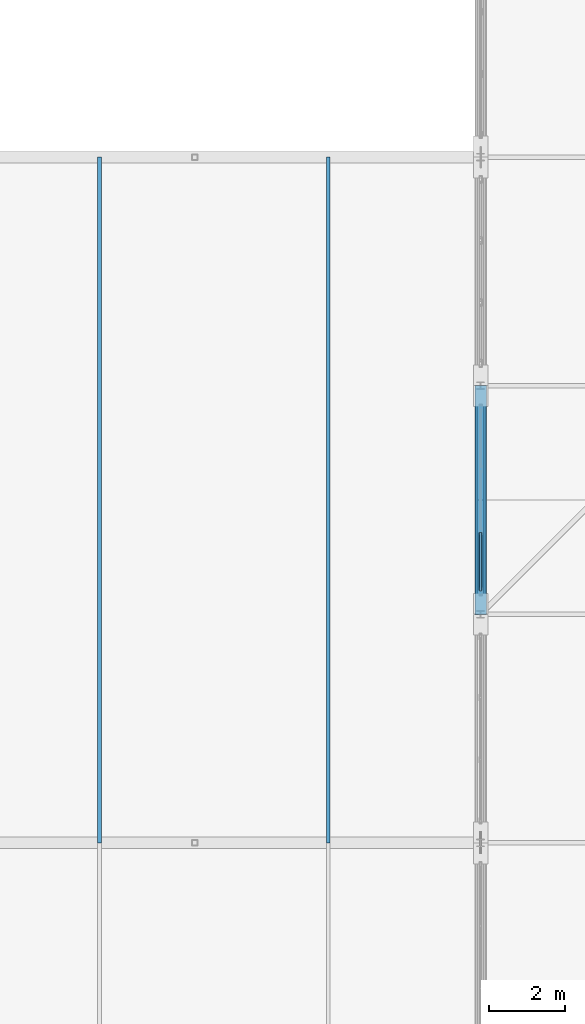
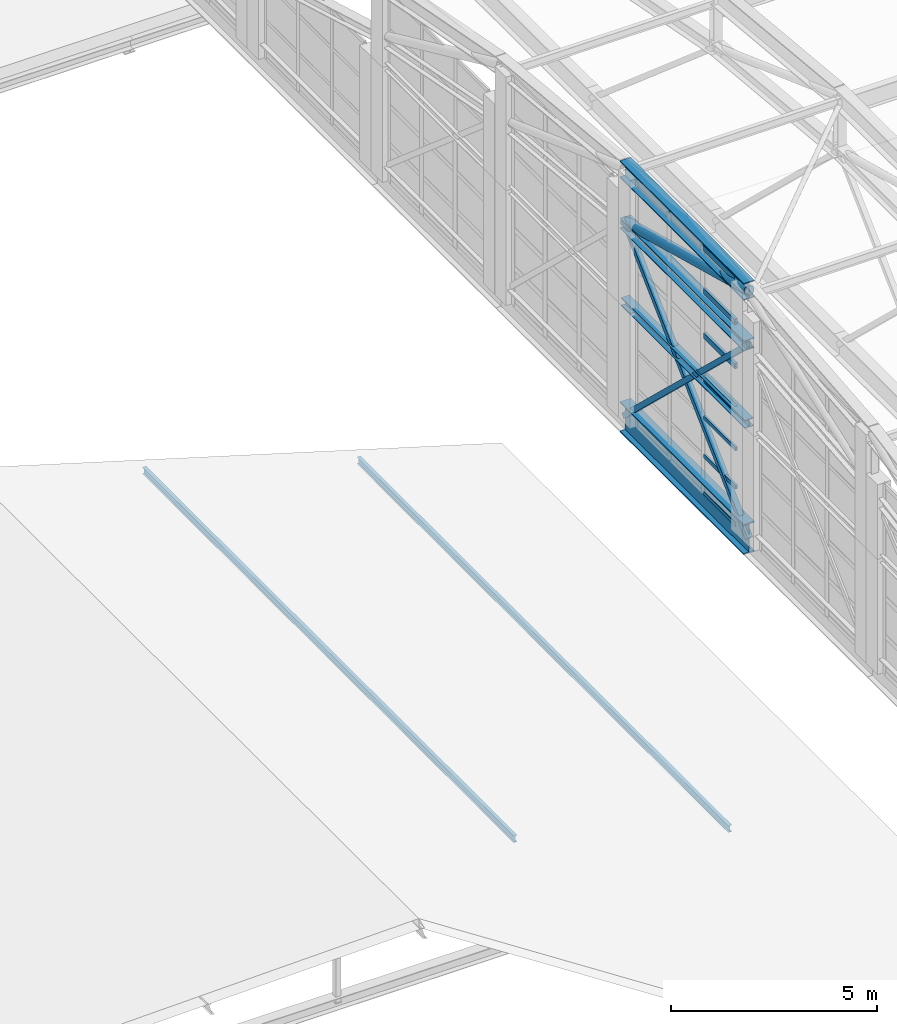
# One storey, part 81 of 204: 17 members, 2 elements without a shape of their own.
"""IFC4 building model written with IfcOpenShell, lengths in metres."""

import ifcopenshell
import ifcopenshell.guid

model = None  # the IFC model being written
_history = None  # IfcOwnerHistory: only IFC2X3 demands one
_inside = {}  # id of a spatial element -> (the spatial element, [elements in it])
_under = {}  # id of a project, library or spatial element -> (it, [spatial elements below it])
_declared = {}  # id of a project -> (the project, [libraries it declares])
_typed = {}  # id of a type object -> (the type object, [elements of that type])
_made_of = {}  # id of a material, layer set ... -> (it, [elements and type objects made of it])


def new_model(schema):
    """Start an empty IFC model of exactly this schema.

    Asked for "IFC4X3", IfcOpenShell would pick the latest addendum, in which some entities
    have other attributes; the version numbers below select the first issue.
    IFC2X3 requires an IfcOwnerHistory on every rooted entity: one is made here for all.
    """
    global model, _history
    if schema == "IFC4X3":
        model = ifcopenshell.file(schema_version=(4, 3, 0, 0))
    else:
        model = ifcopenshell.file(schema=schema)
    _inside.clear()
    _under.clear()
    _declared.clear()
    _typed.clear()
    _made_of.clear()
    _history = None
    if model.schema == "IFC2X3":
        org = make("IfcOrganization", Name="unknown")
        user = make(
            "IfcPersonAndOrganization",
            ThePerson=make("IfcPerson", FamilyName="unknown"),
            TheOrganization=org,
        )
        app = make(
            "IfcApplication",
            ApplicationDeveloper=org,
            Version="unknown",
            ApplicationFullName="unknown",
            ApplicationIdentifier="unknown",
        )
        _history = make(
            "IfcOwnerHistory",
            OwningUser=user,
            OwningApplication=app,
            ChangeAction="ADDED",
            CreationDate=0,
        )
    return model


def make(cls, **values):
    """One entity of the class cls with the attributes given. An attribute that is None is left unset."""
    return model.create_entity(
        cls, **{name: value for name, value in values.items() if value is not None}
    )


def rooted(cls, **values):
    """An entity with a GlobalId (a new one), such as an element, a storey or a relation."""
    return make(cls, GlobalId=ifcopenshell.guid.new(), OwnerHistory=_history, **values)


def si_unit(unit_type, name, prefix=None):
    """IfcSIUnit, for example si_unit("LENGTHUNIT", "METRE", prefix="MILLI")."""
    return make("IfcSIUnit", UnitType=unit_type, Prefix=prefix, Name=name)


def assignment(units):
    """IfcUnitAssignment: the units of a project."""
    return None if units is None else make("IfcUnitAssignment", Units=units)


def point(xyz):
    """IfcCartesianPoint."""
    return None if xyz is None else make("IfcCartesianPoint", Coordinates=xyz)


def direction(xyz):
    """IfcDirection."""
    return None if xyz is None else make("IfcDirection", DirectionRatios=xyz)


def frame(location, z_axis=None, x_axis=None):
    """IfcAxis2Placement3D, a coordinate frame: its origin and axes. An axis left out is left unset."""
    return make(
        "IfcAxis2Placement3D",
        Location=point(location),
        Axis=direction(z_axis),
        RefDirection=direction(x_axis),
    )


def frame_2d(location, x_axis=None):
    """IfcAxis2Placement2D, a coordinate frame in the plane: its origin and x axis."""
    return make(
        "IfcAxis2Placement2D", Location=point(location), RefDirection=direction(x_axis)
    )


def origin():
    """The frame at (0, 0, 0) with its axes left unset."""
    return frame((0.0, 0.0, 0.0))


def origin_2d():
    """The frame at (0, 0) in the plane with its x axis left unset."""
    return frame_2d((0.0, 0.0))


def place(relative_to, where):
    """IfcLocalPlacement: puts the frame where relative to a parent placement (None: the world)."""
    return make(
        "IfcLocalPlacement", PlacementRelTo=relative_to, RelativePlacement=where
    )


def context(
    kind, dimensions, precision=None, world=None, true_north=None, identifier=None
):
    """IfcGeometricRepresentationContext, for example the 3D "Model" context."""
    return make(
        "IfcGeometricRepresentationContext",
        ContextIdentifier=identifier,
        ContextType=kind,
        CoordinateSpaceDimension=dimensions,
        Precision=precision,
        WorldCoordinateSystem=world,
        TrueNorth=true_north,
    )


def subcontext(parent, identifier, kind, view, scale=None):
    """IfcGeometricRepresentationSubContext, for example "Body" below "Model"."""
    return make(
        "IfcGeometricRepresentationSubContext",
        ContextIdentifier=identifier,
        ContextType=kind,
        ParentContext=parent,
        TargetScale=scale,
        TargetView=view,
    )


def project(units=None, contexts=None):
    """IfcProject with its units and contexts."""
    return rooted(
        "IfcProject",
        Name="project",
        RepresentationContexts=contexts,
        UnitsInContext=assignment(units),
    )


def spatial(cls, under=None, at=None, **own):
    """A site, building, storey or space (cls), placed at a placement, below another one or the project."""
    s = rooted(cls, ObjectPlacement=at, **own)
    if under is not None:
        _under.setdefault(under.id(), (under, []))[1].append(s)
    return s


def profile(cls, at=None, kind="AREA", **sizes):
    """A parametric profile (cls). Its sizes go by their IFC names, for example OverallWidth=200.0."""
    return make(cls, ProfileType=kind, Position=at, **sizes)


def hollow_rectangle(**sizes):
    """IfcRectangleHollowProfileDef."""
    return profile("IfcRectangleHollowProfileDef", **sizes)


def hollow_circle(**sizes):
    """IfcCircleHollowProfileDef."""
    return profile("IfcCircleHollowProfileDef", **sizes)


def i_section(**sizes):
    """IfcIShapeProfileDef."""
    return profile("IfcIShapeProfileDef", **sizes)


def extrude(swept, where, along, depth):
    """IfcExtrudedAreaSolid: the profile swept, set in the frame where, extruded along a direction by depth."""
    return make(
        "IfcExtrudedAreaSolid",
        SweptArea=swept,
        Position=where,
        ExtrudedDirection=direction(along),
        Depth=depth,
    )


def shape(context_of_items, identifier, shape_type, items):
    """IfcShapeRepresentation: the items that make up one representation, for example the "Body"."""
    return make(
        "IfcShapeRepresentation",
        ContextOfItems=context_of_items,
        RepresentationIdentifier=identifier,
        RepresentationType=shape_type,
        Items=items,
    )


def material(Name=None, Category=None):
    """IfcMaterial."""
    return make("IfcMaterial", Name=Name, Category=Category)


def layer(
    of_material, thickness, ventilated=None, Name=None, Category=None, Priority=None
):
    """IfcMaterialLayer: one layer of a wall or slab, of a material (None: an air gap)."""
    return make(
        "IfcMaterialLayer",
        Material=of_material,
        LayerThickness=thickness,
        IsVentilated=ventilated,
        Name=Name,
        Category=Category,
        Priority=Priority,
    )


def layer_set(layers, Name=None):
    """IfcMaterialLayerSet."""
    return make("IfcMaterialLayerSet", MaterialLayers=layers, LayerSetName=Name)


def material_profile(
    of_material, cross_section, Name=None, Category=None, Priority=None
):
    """IfcMaterialProfile: a cross section and its material."""
    return make(
        "IfcMaterialProfile",
        Name=Name,
        Material=of_material,
        Profile=cross_section,
        Priority=Priority,
        Category=Category,
    )


def profile_set(profiles, Name=None, composite=None):
    """IfcMaterialProfileSet."""
    return make(
        "IfcMaterialProfileSet",
        Name=Name,
        MaterialProfiles=profiles,
        CompositeProfile=composite,
    )


def made_of(thing, what):
    """Note that an element or type object is made of a material, layer set ...; save() writes the relation."""
    if what is not None:
        _made_of.setdefault(what.id(), (what, []))[1].append(thing)
    return thing


def type_object(cls, material=None, **own):
    """A type object (cls), such as IfcWallType, which elements share."""
    return made_of(rooted(cls, **own), material)


def element(
    cls,
    number,
    at=None,
    inside=None,
    cuts=None,
    type_object=None,
    material=None,
    context=None,
    identifier="Body",
    shape_type=None,
    held_by="IfcProductDefinitionShape",
    body=None,
    shapes=None,
    **own,
):
    """One element of the class cls, such as IfcWall. Its Tag is "e" and its number.

    at: its placement. inside: the storey or other place that contains it. cuts: it is an
    opening in that element (IfcRelVoidsElement). A single representation is given by context,
    identifier, shape_type and body (its items); several are given by shapes. held_by: the class
    of the entity that holds the representations. save() writes the other relations.
    """
    e = rooted(cls, Tag="e%d" % number, ObjectPlacement=at, **own)
    if body is not None:
        shapes = [shape(context, identifier, shape_type, body)]
    if shapes is not None:
        e.Representation = make(held_by, Representations=shapes)
    if inside is not None:
        _inside.setdefault(inside.id(), (inside, []))[1].append(e)
    if cuts is not None:
        rooted(
            "IfcRelVoidsElement", RelatingBuildingElement=cuts, RelatedOpeningElement=e
        )
    if type_object is not None:
        _typed.setdefault(type_object.id(), (type_object, []))[1].append(e)
    return made_of(e, material)


def aggregate(whole, parts):
    """IfcRelAggregates: a whole, such as a stair, and the parts it consists of."""
    return rooted("IfcRelAggregates", RelatingObject=whole, RelatedObjects=parts)


def save(model, path):
    """Write the relations noted so far, then the file.

    IfcRelAggregates (storeys below a building ...), IfcRelContainedInSpatialStructure (elements
    in a storey), IfcRelDefinesByType, IfcRelAssociatesMaterial and IfcRelDeclares: one each for
    every whole, place, type object, material and project.
    """
    for whole, parts in _under.values():
        aggregate(whole, parts)
    for where, things in _inside.values():
        rooted(
            "IfcRelContainedInSpatialStructure",
            RelatedElements=things,
            RelatingStructure=where,
        )
    for kind, things in _typed.values():
        rooted("IfcRelDefinesByType", RelatedObjects=things, RelatingType=kind)
    for what, things in _made_of.values():
        rooted("IfcRelAssociatesMaterial", RelatedObjects=things, RelatingMaterial=what)
    for by, libraries in _declared.values():
        rooted("IfcRelDeclares", RelatingContext=by, RelatedDefinitions=libraries)
    model.write(path)


model = new_model("IFC4")

# Units and contexts
model_context = context("Model", 3, precision=1e-05, world=origin(), true_north=direction((0.0, 1.0)))
body_context = subcontext(model_context, "Body", "Model", "MODEL_VIEW")
ifc_project = project(units=[si_unit("LENGTHUNIT", "METRE"), si_unit("AREAUNIT", "SQUARE_METRE"), si_unit("VOLUMEUNIT", "CUBIC_METRE"), si_unit("PLANEANGLEUNIT", "RADIAN"), si_unit("MASSUNIT", "GRAM", prefix="KILO")], contexts=[model_context])

# Site, building, storey
site_placement = place(None, origin())
site = spatial("IfcSite", under=ifc_project, at=site_placement, CompositionType="ELEMENT")
building_placement = place(site_placement, origin())
building = spatial("IfcBuilding", under=site, at=building_placement, Name="Zilviju Railside Exhibition Hall", CompositionType="ELEMENT")
storey_placement = place(building_placement, frame((0.0, 0.0, 21.0)))
storey = spatial("IfcBuildingStorey", under=building, at=storey_placement, Name="RF", CompositionType="ELEMENT", Elevation=21.0)

# Curtain wall, members
ifc_material_1 = material(Name="Thermally broken aluminium-steel triple-glazed curtain wall", Category="steel")
ifc_layer_1 = layer(ifc_material_1, 0.179931640625)
ifc_layer_set_1 = layer_set([ifc_layer_1], Name="Thermally broken aluminium-steel triple-glazed curtain wall")
curtain_wall_type_1 = type_object("IfcCurtainWallType", Name="CW-BAY-03", PredefinedType="USERDEFINED", material=ifc_layer_set_1)
curtain_wall_1_placement = place(storey_placement, origin())
curtain_wall_1 = element("IfcCurtainWall", 1, at=curtain_wall_1_placement, inside=storey, type_object=curtain_wall_type_1, Name="North Hall Arch Lower Tympanum Glazing West P5", ObjectType="GLAZED CURTAIN WALL", PredefinedType="USERDEFINED")
ifc_material_2 = material(Name="Thermally broken anodized aluminium transom", Category="aluminium")
ifc_material_profile_1 = material_profile(ifc_material_2, hollow_rectangle(XDim=0.06005859375, YDim=0.110107421875, WallThickness=0.0048828125, at=origin_2d()), Name="TRANSOM 110x60x5")
ifc_profile_set_1 = profile_set([ifc_material_profile_1], Name="Thermally broken anodized aluminium transom")
member_type_1 = type_object("IfcMemberType", Name="CWT-60x110", PredefinedType="USERDEFINED", material=ifc_profile_set_1)
member_1_placement = place(storey_placement, frame((78.0, 108.610107421875, -3.570068359375), z_axis=(0.0, 1.0, 0.0), x_axis=(-1.0, 0.0, 0.0)))
member_1 = element("IfcMember", 2, at=member_1_placement, type_object=member_type_1, Name="CW-03 transom 1.1", ObjectType="TRANSOM", PredefinedType="USERDEFINED", context=body_context, shape_type="SweptSolid", body=[
    extrude(hollow_rectangle(XDim=0.06005859375, YDim=0.110107421875, WallThickness=0.0048828125, at=origin_2d()), origin(), (0.0, 0.0, 1.0), 1.543212890625),
])
member_2_placement = place(storey_placement, frame((78.0, 108.610107421875, -2.467041015625), z_axis=(0.0, 1.0, 0.0), x_axis=(-1.0, 0.0, 0.0)))
member_2 = element("IfcMember", 3, at=member_2_placement, type_object=member_type_1, Name="CW-03 transom 1.2", ObjectType="TRANSOM", PredefinedType="USERDEFINED", context=body_context, shape_type="SweptSolid", body=[
    extrude(hollow_rectangle(XDim=0.06005859375, YDim=0.110107421875, WallThickness=0.0048828125, at=origin_2d()), origin(), (0.0, 0.0, 1.0), 1.543212890625),
])
member_3_placement = place(storey_placement, frame((78.0, 108.610107421875, -1.3330078125), z_axis=(0.0, 1.0, 0.0), x_axis=(-1.0, 0.0, 0.0)))
member_3 = element("IfcMember", 4, at=member_3_placement, type_object=member_type_1, Name="CW-03 transom 1.3", ObjectType="TRANSOM", PredefinedType="USERDEFINED", context=body_context, shape_type="SweptSolid", body=[
    extrude(hollow_rectangle(XDim=0.06005859375, YDim=0.110107421875, WallThickness=0.0048828125, at=origin_2d()), origin(), (0.0, 0.0, 1.0), 1.543212890625),
])
member_4_placement = place(storey_placement, frame((78.0, 108.610107421875, -0.22998046875), z_axis=(0.0, 1.0, 0.0), x_axis=(-1.0, 0.0, 0.0)))
member_4 = element("IfcMember", 5, at=member_4_placement, type_object=member_type_1, Name="CW-03 transom 1.4", ObjectType="TRANSOM", PredefinedType="USERDEFINED", context=body_context, shape_type="SweptSolid", body=[
    extrude(hollow_rectangle(XDim=0.06005859375, YDim=0.110107421875, WallThickness=0.0048828125, at=origin_2d()), origin(), (0.0, 0.0, 1.0), 1.543212890625),
])
aggregate(curtain_wall_1, [member_1, member_2, member_3, member_4])

ifc_layer_2 = layer(ifc_material_1, 0.179931640625)
ifc_layer_set_2 = layer_set([ifc_layer_2], Name="Thermally broken aluminium-steel triple-glazed curtain wall")
curtain_wall_type_2 = type_object("IfcCurtainWallType", Name="CW-BAY-10", PredefinedType="USERDEFINED", material=ifc_layer_set_2)
curtain_wall_2_placement = place(storey_placement, origin())
curtain_wall_2 = element("IfcCurtainWall", 6, at=curtain_wall_2_placement, inside=storey, type_object=curtain_wall_type_2, Name="North Hall Crown Arch Tympanum Glazing West P5", ObjectType="GLAZED CURTAIN WALL", PredefinedType="USERDEFINED")
ifc_material_profile_2 = material_profile(ifc_material_2, hollow_rectangle(XDim=0.080078125, YDim=0.159912109375, WallThickness=0.0048828125, at=origin_2d()), Name="TRANSOM 160x80x5")
ifc_profile_set_2 = profile_set([ifc_material_profile_2], Name="Thermally broken anodized aluminium transom")
member_type_2 = type_object("IfcMemberType", Name="CWT-80x160", PredefinedType="USERDEFINED", material=ifc_profile_set_2)
member_5_placement = place(storey_placement, frame((78.0, 108.6298828125, -0.159912109375), z_axis=(0.0, 1.0, 0.0), x_axis=(-1.0, 0.0, 0.0)))
member_5 = element("IfcMember", 7, at=member_5_placement, type_object=member_type_2, Name="CW-10 transom 1.1", ObjectType="TRANSOM", PredefinedType="USERDEFINED", context=body_context, shape_type="SweptSolid", body=[
    extrude(hollow_rectangle(XDim=0.080078125, YDim=0.159912109375, WallThickness=0.0048828125, at=origin_2d()), origin(), (0.0, 0.0, 1.0), 1.513427734375),
])
member_6_placement = place(storey_placement, frame((78.0, 108.6298828125, 1.10888671875), z_axis=(0.0, 1.0, 0.0), x_axis=(-1.0, 0.0, 0.0)))
member_6 = element("IfcMember", 8, at=member_6_placement, type_object=member_type_2, Name="CW-10 transom 1.2", ObjectType="TRANSOM", PredefinedType="USERDEFINED", context=body_context, shape_type="SweptSolid", body=[
    extrude(hollow_rectangle(XDim=0.080078125, YDim=0.159912109375, WallThickness=0.0048828125, at=origin_2d()), origin(), (0.0, 0.0, 1.0), 1.513427734375),
])
member_7_placement = place(storey_placement, frame((78.0, 108.6298828125, 2.4189453125), z_axis=(0.0, 1.0, 0.0), x_axis=(-1.0, 0.0, 0.0)))
member_7 = element("IfcMember", 9, at=member_7_placement, type_object=member_type_2, Name="CW-10 transom 1.3", ObjectType="TRANSOM", PredefinedType="USERDEFINED", context=body_context, shape_type="SweptSolid", body=[
    extrude(hollow_rectangle(XDim=0.080078125, YDim=0.159912109375, WallThickness=0.0048828125, at=origin_2d()), origin(), (0.0, 0.0, 1.0), 1.513427734375),
])
member_8_placement = place(storey_placement, frame((78.0, 108.6298828125, 3.6884765625), z_axis=(0.0, 1.0, 0.0), x_axis=(-1.0, 0.0, 0.0)))
member_8 = element("IfcMember", 10, at=member_8_placement, type_object=member_type_2, Name="CW-10 transom 1.4", ObjectType="TRANSOM", PredefinedType="USERDEFINED", context=body_context, shape_type="SweptSolid", body=[
    extrude(hollow_rectangle(XDim=0.080078125, YDim=0.159912109375, WallThickness=0.0048828125, at=origin_2d()), origin(), (0.0, 0.0, 1.0), 1.513427734375),
])
aggregate(curtain_wall_2, [member_5, member_6, member_7, member_8])

# Members
ifc_material_3 = material(Name="Steel S355ML", Category="steel")
ifc_material_profile_3 = material_profile(ifc_material_3, hollow_circle(Radius=0.136474609375, WallThickness=0.012451171875, at=origin_2d()), Name="CHS 273.0x12.5")
ifc_profile_set_3 = profile_set([ifc_material_profile_3], Name="Steel S355ML")
member_type_3 = type_object("IfcMemberType", Name="TR-BR-CHS273", PredefinedType="BRACE", material=ifc_profile_set_3)
member_9_placement = place(storey_placement, frame((78.0, 108.0, 3.728515625), z_axis=(0.0, 0.966231024199, -0.25767733287), x_axis=(-1.0, 0.0, 0.0)))
element("IfcMember", 11, at=member_9_placement, inside=storey, type_object=member_type_3, Name="V2 Parabolic Arch Web Diagonal X=78.0 P5", PredefinedType="BRACE", context=body_context, shape_type="SweptSolid", body=[
    extrude(hollow_circle(Radius=0.136474609375, WallThickness=0.012451171875, at=origin_2d()), origin(), (0.0, 0.0, 1.0), 6.209716796875),
])
ifc_material_4 = material(Name="Steel S355J2", Category="steel")
ifc_material_profile_4 = material_profile(ifc_material_4, i_section(OverallWidth=0.239990234375, OverallDepth=0.239990234375, WebThickness=0.010009765625, FlangeThickness=0.01708984375, at=origin_2d()), Name="HEB 240")
ifc_profile_set_4 = profile_set([ifc_material_profile_4], Name="Steel S355J2")
member_type_4 = type_object("IfcMemberType", Name="TR-CH-HEB240", PredefinedType="CHORD", material=ifc_profile_set_4)
member_10_placement = place(storey_placement, frame((78.0, 108.0, -0.199951171875), z_axis=(0.0, 1.0, 0.0), x_axis=(-1.0, 0.0, 0.0)))
element("IfcMember", 12, at=member_10_placement, inside=storey, type_object=member_type_4, Name="V2 Crown Gable Transom X=78.0 (108..114)", PredefinedType="CHORD", context=body_context, shape_type="SweptSolid", body=[
    extrude(i_section(OverallWidth=0.239990234375, OverallDepth=0.239990234375, WebThickness=0.010009765625, FlangeThickness=0.01708984375, at=origin_2d()), origin(), (0.0, 0.0, 1.0), 6.0),
])
ifc_material_profile_5 = material_profile(ifc_material_3, i_section(OverallWidth=0.300048828125, OverallDepth=0.300048828125, WebThickness=0.010986328125, FlangeThickness=0.01904296875, at=origin_2d()), Name="HEB 300")
ifc_profile_set_5 = profile_set([ifc_material_profile_5], Name="Steel S355ML")
member_type_5 = type_object("IfcMemberType", Name="TR-CH-HEB300", PredefinedType="CHORD", material=ifc_profile_set_5)
member_11_placement = place(storey_placement, frame((78.0, 108.0, 2.12841796875), z_axis=(0.0, 1.0, 0.0), x_axis=(-1.0, 0.0, 0.0)))
element("IfcMember", 13, at=member_11_placement, inside=storey, type_object=member_type_5, Name="V2 Parabolic Arch Bottom Chord X=78.0 P5", PredefinedType="CHORD", context=body_context, shape_type="SweptSolid", body=[
    extrude(i_section(OverallWidth=0.300048828125, OverallDepth=0.300048828125, WebThickness=0.010986328125, FlangeThickness=0.01904296875, at=origin_2d()), origin(), (0.0, 0.0, 1.0), 6.0),
])
ifc_material_profile_6 = material_profile(ifc_material_3, i_section(OverallWidth=0.300048828125, OverallDepth=0.5, WebThickness=0.014404296875, FlangeThickness=0.028076171875, at=origin_2d()), Name="HEB 500")
ifc_profile_set_6 = profile_set([ifc_material_profile_6], Name="Steel S355ML")
member_type_6 = type_object("IfcMemberType", Name="TR-CH-HEB500-ML", PredefinedType="CHORD", material=ifc_profile_set_6)
member_12_placement = place(storey_placement, frame((78.0, 108.0, 3.728515625), z_axis=(0.0, 1.0, 0.0), x_axis=(-1.0, 0.0, 0.0)))
element("IfcMember", 14, at=member_12_placement, inside=storey, type_object=member_type_6, Name="V2 Parabolic Arch Top Chord X=78.0 P5", PredefinedType="CHORD", context=body_context, shape_type="SweptSolid", body=[
    extrude(i_section(OverallWidth=0.300048828125, OverallDepth=0.5, WebThickness=0.014404296875, FlangeThickness=0.028076171875, at=origin_2d()), origin(), (0.0, 0.0, 1.0), 6.0),
])
ifc_material_profile_7 = material_profile(ifc_material_4, hollow_rectangle(XDim=0.14990234375, YDim=0.14990234375, WallThickness=0.008056640625, at=origin_2d()), Name="SHS 150x150x8.0")
ifc_profile_set_7 = profile_set([ifc_material_profile_7], Name="Steel S355J2")
member_type_7 = type_object("IfcMemberType", Name="TR-POST-SHS150", PredefinedType="POST", material=ifc_profile_set_7)
for number, where, z_axis, x_axis, name in (
    (15, (78.0, 108.0, -3.60009765625), (0.0, 0.723280707221, 0.690554138763), (-1.0, 0.0, 0.0), "V2 Arch Tie Hanger X=78.0 N4"),
    (16, (78.0, 114.0, -3.60009765625), (0.0, -0.723280707221, 0.690554138763), (1.0, 0.0, 0.0), "V2 Arch Tie Hanger X=78.0 N5"),
):
    element("IfcMember", number, at=place(storey_placement, frame(where, z_axis=z_axis, x_axis=x_axis)), inside=storey, type_object=member_type_7, Name=name, PredefinedType="POST", context=body_context, shape_type="SweptSolid", body=[
        extrude(hollow_rectangle(XDim=0.14990234375, YDim=0.14990234375, WallThickness=0.008056640625, at=origin_2d()), origin(), (0.0, 0.0, 1.0), 8.295654296875),
    ])
ifc_material_profile_8 = material_profile(ifc_material_4, i_section(OverallWidth=0.10009765625, OverallDepth=0.199951171875, WebThickness=0.005615234375, FlangeThickness=0.008544921875, at=origin_2d()), Name="IPE 200")
ifc_profile_set_8 = profile_set([ifc_material_profile_8], Name="Steel S355J2")
member_type_8 = type_object("IfcMemberType", Name="TR-PUR-IPE200", PredefinedType="PURLIN", material=ifc_profile_set_8)
for number, where, z_axis, x_axis, name in (
    (17, (68.0, 102.0, -5.360107421875), (0.0, 1.0, 0.0), (-1.0, 0.0, 0.0), "Concourse Lantern Purlin X=68.0"),
    (18, (74.0, 102.0, -7.159912109375), (0.0, 1.0, 0.0), (-1.0, 0.0, 0.0), "Concourse Lantern Purlin X=74.0"),
):
    element("IfcMember", number, at=place(storey_placement, frame(where, z_axis=z_axis, x_axis=x_axis)), inside=storey, type_object=member_type_8, Name=name, PredefinedType="PURLIN", context=body_context, shape_type="SweptSolid", body=[
        extrude(i_section(OverallWidth=0.10009765625, OverallDepth=0.199951171875, WebThickness=0.005615234375, FlangeThickness=0.008544921875, at=origin_2d()), origin(), (0.0, 0.0, 1.0), 18.0),
    ])
ifc_material_profile_9 = material_profile(ifc_material_4, i_section(OverallWidth=0.300048828125, OverallDepth=0.89990234375, WebThickness=0.0185546875, FlangeThickness=0.034912109375, at=origin_2d()), Name="HEB 900")
ifc_profile_set_9 = profile_set([ifc_material_profile_9], Name="Steel S355J2")
member_type_9 = type_object("IfcMemberType", Name="TR-TIE-HEB900", PredefinedType="CHORD", material=ifc_profile_set_9)
member_13_placement = place(storey_placement, frame((78.0, 108.0, -3.60009765625), z_axis=(0.0, 1.0, 0.0), x_axis=(-1.0, 0.0, 0.0)))
element("IfcMember", 19, at=member_13_placement, inside=storey, type_object=member_type_9, Name="V2 Arch Tie Member X=78.0", PredefinedType="CHORD", context=body_context, shape_type="SweptSolid", body=[
    extrude(i_section(OverallWidth=0.300048828125, OverallDepth=0.89990234375, WebThickness=0.0185546875, FlangeThickness=0.034912109375, at=origin_2d()), origin(), (0.0, 0.0, 1.0), 6.0),
])

save(model, "model.ifc")
